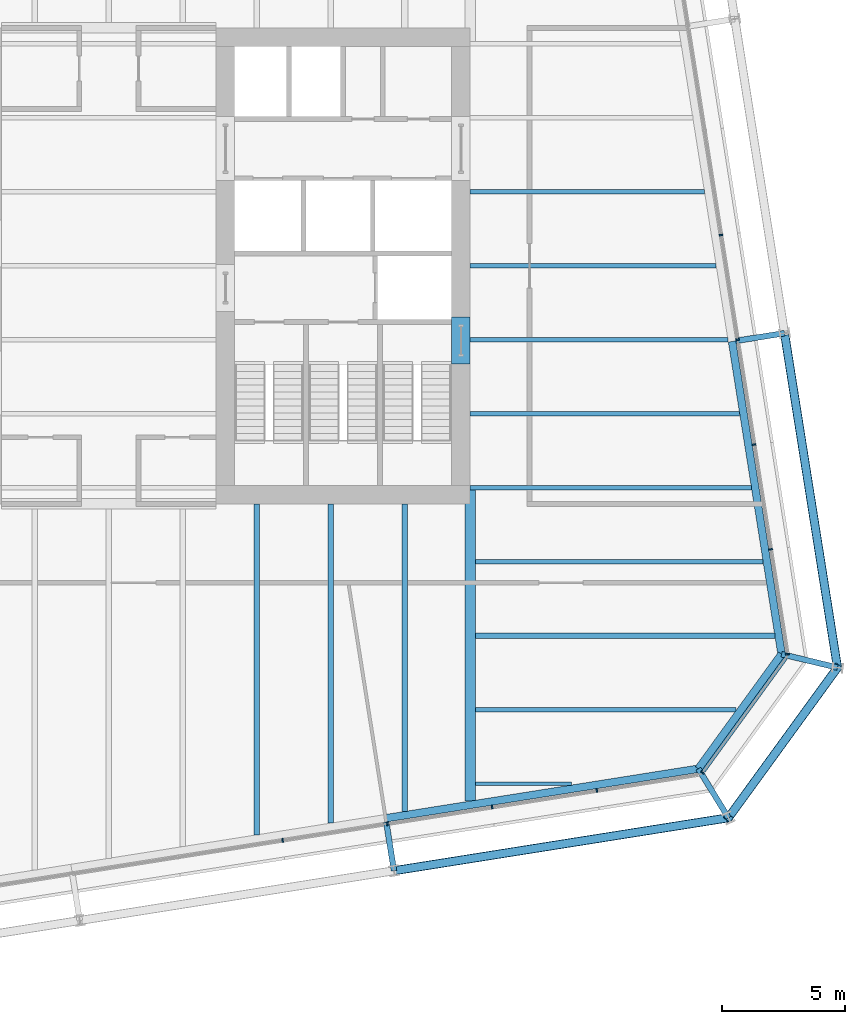
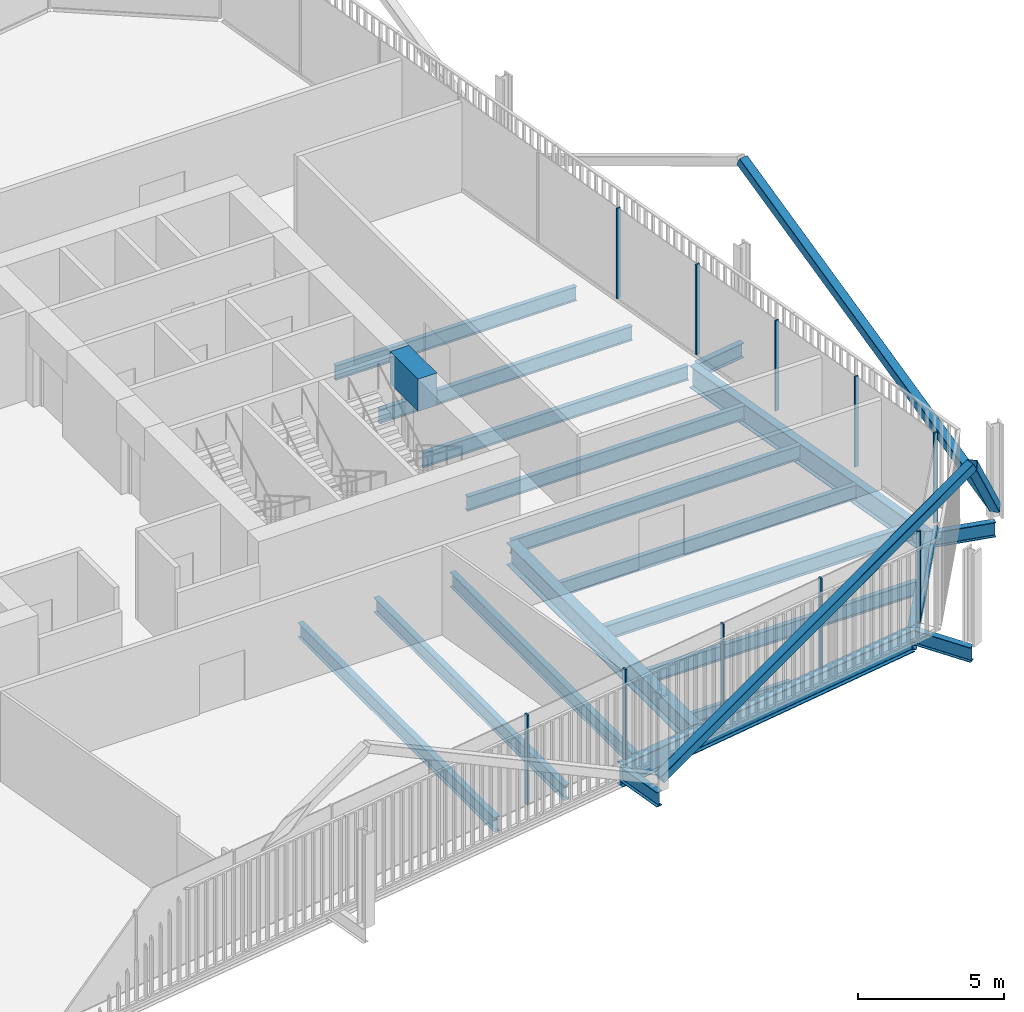
# One storey, part 8 of 22: 21 beams, 14 members, 3 elements without a shape of their own.
"""IFC4 building model written with IfcOpenShell, lengths in metres."""

import ifcopenshell
import ifcopenshell.guid

model = None  # the IFC model being written
_history = None  # IfcOwnerHistory: only IFC2X3 demands one
_inside = {}  # id of a spatial element -> (the spatial element, [elements in it])
_under = {}  # id of a project, library or spatial element -> (it, [spatial elements below it])
_declared = {}  # id of a project -> (the project, [libraries it declares])
_typed = {}  # id of a type object -> (the type object, [elements of that type])
_made_of = {}  # id of a material, layer set ... -> (it, [elements and type objects made of it])


def new_model(schema):
    """Start an empty IFC model of exactly this schema.

    Asked for "IFC4X3", IfcOpenShell would pick the latest addendum, in which some entities
    have other attributes; the version numbers below select the first issue.
    IFC2X3 requires an IfcOwnerHistory on every rooted entity: one is made here for all.
    """
    global model, _history
    if schema == "IFC4X3":
        model = ifcopenshell.file(schema_version=(4, 3, 0, 0))
    else:
        model = ifcopenshell.file(schema=schema)
    _inside.clear()
    _under.clear()
    _declared.clear()
    _typed.clear()
    _made_of.clear()
    _history = None
    if model.schema == "IFC2X3":
        org = make("IfcOrganization", Name="unknown")
        user = make(
            "IfcPersonAndOrganization",
            ThePerson=make("IfcPerson", FamilyName="unknown"),
            TheOrganization=org,
        )
        app = make(
            "IfcApplication",
            ApplicationDeveloper=org,
            Version="unknown",
            ApplicationFullName="unknown",
            ApplicationIdentifier="unknown",
        )
        _history = make(
            "IfcOwnerHistory",
            OwningUser=user,
            OwningApplication=app,
            ChangeAction="ADDED",
            CreationDate=0,
        )
    return model


def make(cls, **values):
    """One entity of the class cls with the attributes given. An attribute that is None is left unset."""
    return model.create_entity(
        cls, **{name: value for name, value in values.items() if value is not None}
    )


def rooted(cls, **values):
    """An entity with a GlobalId (a new one), such as an element, a storey or a relation."""
    return make(cls, GlobalId=ifcopenshell.guid.new(), OwnerHistory=_history, **values)


def si_unit(unit_type, name, prefix=None):
    """IfcSIUnit, for example si_unit("LENGTHUNIT", "METRE", prefix="MILLI")."""
    return make("IfcSIUnit", UnitType=unit_type, Prefix=prefix, Name=name)


def assignment(units):
    """IfcUnitAssignment: the units of a project."""
    return None if units is None else make("IfcUnitAssignment", Units=units)


def point(xyz):
    """IfcCartesianPoint."""
    return None if xyz is None else make("IfcCartesianPoint", Coordinates=xyz)


def direction(xyz):
    """IfcDirection."""
    return None if xyz is None else make("IfcDirection", DirectionRatios=xyz)


def frame(location, z_axis=None, x_axis=None):
    """IfcAxis2Placement3D, a coordinate frame: its origin and axes. An axis left out is left unset."""
    return make(
        "IfcAxis2Placement3D",
        Location=point(location),
        Axis=direction(z_axis),
        RefDirection=direction(x_axis),
    )


def frame_2d(location, x_axis=None):
    """IfcAxis2Placement2D, a coordinate frame in the plane: its origin and x axis."""
    return make(
        "IfcAxis2Placement2D", Location=point(location), RefDirection=direction(x_axis)
    )


def origin():
    """The frame at (0, 0, 0) with its axes left unset."""
    return frame((0.0, 0.0, 0.0))


def origin_2d():
    """The frame at (0, 0) in the plane with its x axis left unset."""
    return frame_2d((0.0, 0.0))


def place(relative_to, where):
    """IfcLocalPlacement: puts the frame where relative to a parent placement (None: the world)."""
    return make(
        "IfcLocalPlacement", PlacementRelTo=relative_to, RelativePlacement=where
    )


def context(
    kind, dimensions, precision=None, world=None, true_north=None, identifier=None
):
    """IfcGeometricRepresentationContext, for example the 3D "Model" context."""
    return make(
        "IfcGeometricRepresentationContext",
        ContextIdentifier=identifier,
        ContextType=kind,
        CoordinateSpaceDimension=dimensions,
        Precision=precision,
        WorldCoordinateSystem=world,
        TrueNorth=true_north,
    )


def subcontext(parent, identifier, kind, view, scale=None):
    """IfcGeometricRepresentationSubContext, for example "Body" below "Model"."""
    return make(
        "IfcGeometricRepresentationSubContext",
        ContextIdentifier=identifier,
        ContextType=kind,
        ParentContext=parent,
        TargetScale=scale,
        TargetView=view,
    )


def project(units=None, contexts=None):
    """IfcProject with its units and contexts."""
    return rooted(
        "IfcProject",
        Name="project",
        RepresentationContexts=contexts,
        UnitsInContext=assignment(units),
    )


def spatial(cls, under=None, at=None, **own):
    """A site, building, storey or space (cls), placed at a placement, below another one or the project."""
    s = rooted(cls, ObjectPlacement=at, **own)
    if under is not None:
        _under.setdefault(under.id(), (under, []))[1].append(s)
    return s


def profile(cls, at=None, kind="AREA", **sizes):
    """A parametric profile (cls). Its sizes go by their IFC names, for example OverallWidth=200.0."""
    return make(cls, ProfileType=kind, Position=at, **sizes)


def rectangle(**sizes):
    """IfcRectangleProfileDef."""
    return profile("IfcRectangleProfileDef", **sizes)


def hollow_rectangle(**sizes):
    """IfcRectangleHollowProfileDef."""
    return profile("IfcRectangleHollowProfileDef", **sizes)


def i_section(**sizes):
    """IfcIShapeProfileDef."""
    return profile("IfcIShapeProfileDef", **sizes)


def extrude(swept, where, along, depth):
    """IfcExtrudedAreaSolid: the profile swept, set in the frame where, extruded along a direction by depth."""
    return make(
        "IfcExtrudedAreaSolid",
        SweptArea=swept,
        Position=where,
        ExtrudedDirection=direction(along),
        Depth=depth,
    )


def shape(context_of_items, identifier, shape_type, items):
    """IfcShapeRepresentation: the items that make up one representation, for example the "Body"."""
    return make(
        "IfcShapeRepresentation",
        ContextOfItems=context_of_items,
        RepresentationIdentifier=identifier,
        RepresentationType=shape_type,
        Items=items,
    )


def material(Name=None, Category=None):
    """IfcMaterial."""
    return make("IfcMaterial", Name=Name, Category=Category)


def layer(
    of_material, thickness, ventilated=None, Name=None, Category=None, Priority=None
):
    """IfcMaterialLayer: one layer of a wall or slab, of a material (None: an air gap)."""
    return make(
        "IfcMaterialLayer",
        Material=of_material,
        LayerThickness=thickness,
        IsVentilated=ventilated,
        Name=Name,
        Category=Category,
        Priority=Priority,
    )


def layer_set(layers, Name=None):
    """IfcMaterialLayerSet."""
    return make("IfcMaterialLayerSet", MaterialLayers=layers, LayerSetName=Name)


def material_profile(
    of_material, cross_section, Name=None, Category=None, Priority=None
):
    """IfcMaterialProfile: a cross section and its material."""
    return make(
        "IfcMaterialProfile",
        Name=Name,
        Material=of_material,
        Profile=cross_section,
        Priority=Priority,
        Category=Category,
    )


def profile_set(profiles, Name=None, composite=None):
    """IfcMaterialProfileSet."""
    return make(
        "IfcMaterialProfileSet",
        Name=Name,
        MaterialProfiles=profiles,
        CompositeProfile=composite,
    )


def made_of(thing, what):
    """Note that an element or type object is made of a material, layer set ...; save() writes the relation."""
    if what is not None:
        _made_of.setdefault(what.id(), (what, []))[1].append(thing)
    return thing


def type_object(cls, material=None, **own):
    """A type object (cls), such as IfcWallType, which elements share."""
    return made_of(rooted(cls, **own), material)


def element(
    cls,
    number,
    at=None,
    inside=None,
    cuts=None,
    type_object=None,
    material=None,
    context=None,
    identifier="Body",
    shape_type=None,
    held_by="IfcProductDefinitionShape",
    body=None,
    shapes=None,
    **own,
):
    """One element of the class cls, such as IfcWall. Its Tag is "e" and its number.

    at: its placement. inside: the storey or other place that contains it. cuts: it is an
    opening in that element (IfcRelVoidsElement). A single representation is given by context,
    identifier, shape_type and body (its items); several are given by shapes. held_by: the class
    of the entity that holds the representations. save() writes the other relations.
    """
    e = rooted(cls, Tag="e%d" % number, ObjectPlacement=at, **own)
    if body is not None:
        shapes = [shape(context, identifier, shape_type, body)]
    if shapes is not None:
        e.Representation = make(held_by, Representations=shapes)
    if inside is not None:
        _inside.setdefault(inside.id(), (inside, []))[1].append(e)
    if cuts is not None:
        rooted(
            "IfcRelVoidsElement", RelatingBuildingElement=cuts, RelatedOpeningElement=e
        )
    if type_object is not None:
        _typed.setdefault(type_object.id(), (type_object, []))[1].append(e)
    return made_of(e, material)


def aggregate(whole, parts):
    """IfcRelAggregates: a whole, such as a stair, and the parts it consists of."""
    return rooted("IfcRelAggregates", RelatingObject=whole, RelatedObjects=parts)


def save(model, path):
    """Write the relations noted so far, then the file.

    IfcRelAggregates (storeys below a building ...), IfcRelContainedInSpatialStructure (elements
    in a storey), IfcRelDefinesByType, IfcRelAssociatesMaterial and IfcRelDeclares: one each for
    every whole, place, type object, material and project.
    """
    for whole, parts in _under.values():
        aggregate(whole, parts)
    for where, things in _inside.values():
        rooted(
            "IfcRelContainedInSpatialStructure",
            RelatedElements=things,
            RelatingStructure=where,
        )
    for kind, things in _typed.values():
        rooted("IfcRelDefinesByType", RelatedObjects=things, RelatingType=kind)
    for what, things in _made_of.values():
        rooted("IfcRelAssociatesMaterial", RelatedObjects=things, RelatingMaterial=what)
    for by, libraries in _declared.values():
        rooted("IfcRelDeclares", RelatingContext=by, RelatedDefinitions=libraries)
    model.write(path)


model = new_model("IFC4")

# Units and contexts
model_context = context("Model", 3, precision=1e-05, world=origin(), true_north=direction((0.0, 1.0)))
body_context = subcontext(model_context, "Body", "Model", "MODEL_VIEW")
ifc_project = project(units=[si_unit("LENGTHUNIT", "METRE"), si_unit("AREAUNIT", "SQUARE_METRE"), si_unit("VOLUMEUNIT", "CUBIC_METRE"), si_unit("PLANEANGLEUNIT", "RADIAN"), si_unit("MASSUNIT", "GRAM", prefix="KILO")], contexts=[model_context])

# Site, building, storey
site_placement = place(None, origin())
site = spatial("IfcSite", under=ifc_project, at=site_placement, CompositionType="ELEMENT")
building_placement = place(site_placement, origin())
building = spatial("IfcBuilding", under=site, at=building_placement, Name="Millrace Tower", CompositionType="ELEMENT")
storey_placement = place(building_placement, frame((0.0, 0.0, 137.300048828125)))
storey = spatial("IfcBuildingStorey", under=building, at=storey_placement, Name="L30", CompositionType="ELEMENT", Elevation=137.300048828125)

# Curtain wall, members
ifc_material_1 = material(Name="Aluminium and glass", Category="aluminium")
ifc_layer = layer(ifc_material_1, 0.14990234375)
ifc_layer_set = layer_set([ifc_layer], Name="Aluminium and glass")
curtain_wall_type = type_object("IfcCurtainWallType", Name="CW-1 office vision curtain wall", PredefinedType="NOTDEFINED", material=ifc_layer_set)
placement = place(storey_placement, origin())
curtain_wall_1 = element("IfcCurtainWall", 1, at=placement, inside=storey, type_object=curtain_wall_type, Name="Curtain wall C-F02 L30", PredefinedType="NOTDEFINED")
ifc_material_2 = material(Name="Aluminium", Category="aluminium")
ifc_material_profile_1 = material_profile(ifc_material_2, rectangle(XDim=0.06494140625, YDim=0.14990234375, at=origin_2d()))
ifc_profile_set_1 = profile_set([ifc_material_profile_1], Name="Aluminium")
member_type_1 = type_object("IfcMemberType", Name="CW-1 office vision curtain wall mullion", PredefinedType="MULLION", material=ifc_profile_set_1)
member_1_placement = place(storey_placement, frame((7.04345703125, -23.293212890625, 0.139892578125), z_axis=(0.0, 0.0, 1.0), x_axis=(0.98768833929, 0.15643447328, 0.0)))
member_1 = element("IfcMember", 2, at=member_1_placement, type_object=member_type_1, Name="CW1 mullion C-F02.6", PredefinedType="MULLION", context=body_context, shape_type="SweptSolid", body=[
    extrude(rectangle(XDim=0.06494140625, YDim=0.14990234375, at=origin_2d()), origin(), (0.0, 0.0, 1.0), 3.760009765625),
])
member_2_placement = place(storey_placement, frame((11.29052734375, -22.62060546875, 0.139892578125), z_axis=(0.0, 0.0, 1.0), x_axis=(0.98768833929, 0.15643447328, 0.0)))
member_2 = element("IfcMember", 3, at=member_2_placement, type_object=member_type_1, Name="CW1 mullion C-F02.7", PredefinedType="MULLION", context=body_context, shape_type="SweptSolid", body=[
    extrude(rectangle(XDim=0.06494140625, YDim=0.14990234375, at=origin_2d()), origin(), (0.0, 0.0, 1.0), 3.760009765625),
])
member_3_placement = place(storey_placement, frame((15.53759765625, -21.947998046875, 0.139892578125), z_axis=(0.0, 0.0, 1.0), x_axis=(0.98768833929, 0.15643447328, 0.0)))
member_3 = element("IfcMember", 4, at=member_3_placement, type_object=member_type_1, Name="CW1 mullion C-F02.8", PredefinedType="MULLION", context=body_context, shape_type="SweptSolid", body=[
    extrude(rectangle(XDim=0.06494140625, YDim=0.14990234375, at=origin_2d()), origin(), (0.0, 0.0, 1.0), 3.760009765625),
])
member_4_placement = place(storey_placement, frame((19.78466796875, -21.275390625, 0.139892578125), z_axis=(0.0, 0.0, 1.0), x_axis=(0.98768833929, 0.15643447328, 0.0)))
member_4 = element("IfcMember", 5, at=member_4_placement, type_object=member_type_1, Name="CW1 mullion C-F02.9", PredefinedType="MULLION", context=body_context, shape_type="SweptSolid", body=[
    extrude(rectangle(XDim=0.06494140625, YDim=0.14990234375, at=origin_2d()), origin(), (0.0, 0.0, 1.0), 3.760009765625),
])
aggregate(curtain_wall_1, [member_1, member_2, member_3, member_4])

# Curtain wall, member
curtain_wall_2 = element("IfcCurtainWall", 6, at=placement, inside=storey, type_object=curtain_wall_type, Name="Curtain wall C-F03 L30", PredefinedType="NOTDEFINED")
member_5_placement = place(storey_placement, frame((24.06787109375, -20.551513671875, 0.139892578125), z_axis=(0.0, 0.0, 1.0), x_axis=(0.587785269844, 0.809016981623, 0.0)))
member_5 = element("IfcMember", 7, at=member_5_placement, type_object=member_type_1, Name="CW1 mullion C-F03.1", PredefinedType="MULLION", context=body_context, shape_type="SweptSolid", body=[
    extrude(rectangle(XDim=0.06494140625, YDim=0.14990234375, at=origin_2d()), origin(), (0.0, 0.0, 1.0), 3.760009765625),
])

# Curtain wall, members
curtain_wall_3 = element("IfcCurtainWall", 8, at=placement, inside=storey, type_object=curtain_wall_type, Name="Curtain wall C-F04 L30", PredefinedType="NOTDEFINED")
member_6_placement = place(storey_placement, frame((27.506591796875, -15.74169921875, 0.139892578125), z_axis=(0.0, 0.0, 1.0), x_axis=(-0.15643447328, 0.98768833929, 0.0)))
member_6 = element("IfcMember", 9, at=member_6_placement, type_object=member_type_1, Name="CW1 mullion C-F04.1", PredefinedType="MULLION", context=body_context, shape_type="SweptSolid", body=[
    extrude(rectangle(XDim=0.06494140625, YDim=0.14990234375, at=origin_2d()), origin(), (0.0, 0.0, 1.0), 3.760009765625),
])
member_7_placement = place(storey_placement, frame((26.833984375, -11.49462890625, 0.139892578125), z_axis=(0.0, 0.0, 1.0), x_axis=(-0.15643447328, 0.98768833929, 0.0)))
member_7 = element("IfcMember", 10, at=member_7_placement, type_object=member_type_1, Name="CW1 mullion C-F04.2", PredefinedType="MULLION", context=body_context, shape_type="SweptSolid", body=[
    extrude(rectangle(XDim=0.06494140625, YDim=0.14990234375, at=origin_2d()), origin(), (0.0, 0.0, 1.0), 3.760009765625),
])
member_8_placement = place(storey_placement, frame((26.161376953125, -7.24755859375, 0.139892578125), z_axis=(0.0, 0.0, 1.0), x_axis=(-0.15643447328, 0.98768833929, 0.0)))
member_8 = element("IfcMember", 11, at=member_8_placement, type_object=member_type_1, Name="CW1 mullion C-F04.3", PredefinedType="MULLION", context=body_context, shape_type="SweptSolid", body=[
    extrude(rectangle(XDim=0.06494140625, YDim=0.14990234375, at=origin_2d()), origin(), (0.0, 0.0, 1.0), 3.760009765625),
])
member_9_placement = place(storey_placement, frame((25.48876953125, -3.00048828125, 0.139892578125), z_axis=(0.0, 0.0, 1.0), x_axis=(-0.15643447328, 0.98768833929, 0.0)))
member_9 = element("IfcMember", 12, at=member_9_placement, type_object=member_type_1, Name="CW1 mullion C-F04.4", PredefinedType="MULLION", context=body_context, shape_type="SweptSolid", body=[
    extrude(rectangle(XDim=0.06494140625, YDim=0.14990234375, at=origin_2d()), origin(), (0.0, 0.0, 1.0), 3.760009765625),
])
member_10_placement = place(storey_placement, frame((24.81591796875, 1.24658203125, 0.139892578125), z_axis=(0.0, 0.0, 1.0), x_axis=(-0.15643447328, 0.98768833929, 0.0)))
member_10 = element("IfcMember", 13, at=member_10_placement, type_object=member_type_1, Name="CW1 mullion C-F04.5", PredefinedType="MULLION", context=body_context, shape_type="SweptSolid", body=[
    extrude(rectangle(XDim=0.06494140625, YDim=0.14990234375, at=origin_2d()), origin(), (0.0, 0.0, 1.0), 3.760009765625),
])
aggregate(curtain_wall_3, [member_6, member_7, member_8, member_9, member_10])

# Member
ifc_material_3 = material(Name="Aluminium", Category="aluminium")
ifc_material_profile_2 = material_profile(ifc_material_3, rectangle(XDim=0.14990234375, YDim=0.139892578125, at=origin_2d()))
ifc_profile_set_2 = profile_set([ifc_material_profile_2], Name="Aluminium")
member_type_2 = type_object("IfcMemberType", Name="CW-1 office vision curtain wall transom", PredefinedType="USERDEFINED", material=ifc_profile_set_2)
member_11_placement = place(storey_placement, frame((24.107421875, -20.496826171875, 0.070068359375), z_axis=(0.587810581339, 0.808998591139, 0.0), x_axis=(-0.808998591139, 0.587810581339, 0.0)))
member_11 = element("IfcMember", 14, at=member_11_placement, type_object=member_type_2, Name="CW1 transom C-F03.1", ObjectType="TRANSOM", PredefinedType="USERDEFINED", context=body_context, shape_type="SweptSolid", body=[
    extrude(rectangle(XDim=0.14990234375, YDim=0.139892578125, at=origin_2d()), origin(), (0.0, 0.0, 1.0), 5.6689453125),
])

aggregate(curtain_wall_2, [member_5, member_11])

# Beam
ifc_material_4 = material(Name="Concrete C70", Category="concrete")
ifc_material_profile_3 = material_profile(ifc_material_4, rectangle(XDim=0.75, YDim=1.340087890625, at=origin_2d()))
ifc_profile_set_3 = profile_set([ifc_material_profile_3], Name="Concrete C70")
beam_type_1 = type_object("IfcBeamType", Name="Coupling beam 750 x 1340 Concrete C70, 1300 opening", PredefinedType="BEAM", material=ifc_profile_set_3)
beam_1_placement = place(storey_placement, frame((14.27490234375, -2.080078125, 3.070068359375), z_axis=(0.0, -1.0, 0.0), x_axis=(1.0, 0.0, 0.0)))
element("IfcBeam", 15, at=beam_1_placement, inside=storey, type_object=beam_type_1, Name="Coupling beam E L30", PredefinedType="BEAM", context=body_context, shape_type="SweptSolid", body=[
    extrude(rectangle(XDim=0.75, YDim=1.340087890625, at=origin_2d()), origin(), (0.0, 0.0, 1.0), 1.89990234375),
])

# Members
ifc_material_5 = material(Name="Steel ASTM A500 Grade C", Category="steel")
ifc_material_profile_4 = material_profile(ifc_material_5, hollow_rectangle(XDim=0.355712890625, YDim=0.355712890625, WallThickness=0.015869140625, InnerFilletRadius=0.008056640625, OuterFilletRadius=0.02392578125, at=origin_2d()))
ifc_profile_set_4 = profile_set([ifc_material_profile_4], Name="Steel ASTM A500 Grade C")
member_type_3 = type_object("IfcMemberType", Name="Exoskeleton brace HSS14x14x5/8", PredefinedType="BRACE", material=ifc_profile_set_4)
member_12_placement = place(storey_placement, frame((11.5595703125, -24.527099609375, 0.39990234375), z_axis=(0.879908188937, 0.139368965396, 0.454244285078), x_axis=(-0.156440158434, 0.987687438833, 0.0)))
element("IfcMember", 16, at=member_12_placement, inside=storey, type_object=member_type_3, Name="BRC-C-L30-04", PredefinedType="BRACE", context=body_context, shape_type="SweptSolid", body=[
    extrude(hollow_rectangle(XDim=0.355712890625, YDim=0.355712890625, WallThickness=0.015869140625, InnerFilletRadius=0.008056640625, OuterFilletRadius=0.02392578125, at=origin_2d()), origin(), (0.0, 0.0, 1.0), 15.41015625),
])
member_13_placement = place(storey_placement, frame((29.542724609375, -16.291015625, 0.39990234375), z_axis=(-0.430395153162, -0.592372334541, 0.681069034243), x_axis=(0.809009551985, -0.587795495726, 0.0)))
element("IfcMember", 17, at=member_13_placement, inside=storey, type_object=member_type_3, Name="BRC-C-L30-05", PredefinedType="BRACE", context=body_context, shape_type="SweptSolid", body=[
    extrude(hollow_rectangle(XDim=0.355712890625, YDim=0.355712890625, WallThickness=0.015869140625, InnerFilletRadius=0.008056640625, OuterFilletRadius=0.02392578125, at=origin_2d()), origin(), (0.0, 0.0, 1.0), 10.278076171875),
])
member_14_placement = place(storey_placement, frame((29.542724609375, -16.291015625, 0.39990234375), z_axis=(-0.139368965396, 0.879908188937, 0.454244285078), x_axis=(-0.987687438833, -0.156440158434, 0.0)))
element("IfcMember", 18, at=member_14_placement, inside=storey, type_object=member_type_3, Name="BRC-C-L30-06", PredefinedType="BRACE", context=body_context, shape_type="SweptSolid", body=[
    extrude(hollow_rectangle(XDim=0.355712890625, YDim=0.355712890625, WallThickness=0.015869140625, InnerFilletRadius=0.008056640625, OuterFilletRadius=0.02392578125, at=origin_2d()), origin(), (0.0, 0.0, 1.0), 15.41015625),
])

# Beams
ifc_material_6 = material(Name="Steel ASTM A992 Grade 50", Category="steel")
ifc_material_profile_5 = material_profile(ifc_material_6, i_section(OverallWidth=0.15234375, OverallDepth=0.449462890625, WebThickness=0.007568359375, FlangeThickness=0.0107421875, FilletRadius=0.01025390625, at=origin_2d()))
ifc_profile_set_5 = profile_set([ifc_material_profile_5], Name="Steel ASTM A992 Grade 50")
beam_type_2 = type_object("IfcBeamType", Name="Floor beam W18x35", PredefinedType="JOIST", material=ifc_profile_set_5)
beam_2_placement = place(storey_placement, frame((14.859619140625, -21.0, -0.384765625), z_axis=(1.0, 0.0, 0.0), x_axis=(0.0, 1.0, 0.0)))
element("IfcBeam", 19, at=beam_2_placement, inside=storey, type_object=beam_type_2, Name="BM-C-L30-S1-S003", PredefinedType="JOIST", context=body_context, shape_type="SweptSolid", body=[
    extrude(i_section(OverallWidth=0.15234375, OverallDepth=0.449462890625, WebThickness=0.007568359375, FlangeThickness=0.0107421875, FilletRadius=0.01025390625, at=origin_2d()), origin(), (0.0, 0.0, 1.0), 3.9033203125),
])
ifc_material_7 = material(Name="Steel ASTM A992 Grade 50", Category="steel")
ifc_material_profile_6 = material_profile(ifc_material_7, i_section(OverallWidth=0.177978515625, OverallDepth=0.599365234375, WebThickness=0.010009765625, FlangeThickness=0.012939453125, FilletRadius=0.012939453125, at=origin_2d()))
ifc_profile_set_6 = profile_set([ifc_material_profile_6], Name="Steel ASTM A992 Grade 50")
beam_type_3 = type_object("IfcBeamType", Name="Floor beam W24x55", PredefinedType="JOIST", material=ifc_profile_set_6)
beam_3_placement = place(storey_placement, frame((14.64990234375, 0.0, -0.459716796875), z_axis=(1.0, 0.0, 0.0), x_axis=(0.0, 1.0, 0.0)))
element("IfcBeam", 20, at=beam_3_placement, inside=storey, type_object=beam_type_3, Name="BM-C-L30-S1-S021", PredefinedType="JOIST", context=body_context, shape_type="SweptSolid", body=[
    extrude(i_section(OverallWidth=0.177978515625, OverallDepth=0.599365234375, WebThickness=0.010009765625, FlangeThickness=0.012939453125, FilletRadius=0.012939453125, at=origin_2d()), origin(), (0.0, 0.0, 1.0), 9.976318359375),
])
beam_4_placement = place(storey_placement, frame((14.64990234375, 3.0, -0.459716796875), z_axis=(1.0, 0.0, 0.0), x_axis=(0.0, 1.0, 0.0)))
element("IfcBeam", 21, at=beam_4_placement, inside=storey, type_object=beam_type_3, Name="BM-C-L30-S1-S024", PredefinedType="JOIST", context=body_context, shape_type="SweptSolid", body=[
    extrude(i_section(OverallWidth=0.177978515625, OverallDepth=0.599365234375, WebThickness=0.010009765625, FlangeThickness=0.012939453125, FilletRadius=0.012939453125, at=origin_2d()), origin(), (0.0, 0.0, 1.0), 9.501220703125),
])
ifc_material_8 = material(Name="Steel ASTM A992 Grade 50", Category="steel")
ifc_material_profile_7 = material_profile(ifc_material_8, i_section(OverallWidth=0.1787109375, OverallDepth=0.60205078125, WebThickness=0.010986328125, FlangeThickness=0.014892578125, FilletRadius=0.0126953125, at=origin_2d()))
ifc_profile_set_7 = profile_set([ifc_material_profile_7], Name="Steel ASTM A992 Grade 50")
beam_type_4 = type_object("IfcBeamType", Name="Floor beam W24x62", PredefinedType="JOIST", material=ifc_profile_set_7)
beam_5_placement = place(storey_placement, frame((14.859619140625, -12.0, -0.4609375), z_axis=(1.0, 0.0, 0.0), x_axis=(0.0, 1.0, 0.0)))
element("IfcBeam", 22, at=beam_5_placement, inside=storey, type_object=beam_type_4, Name="BM-C-L30-S1-S009", PredefinedType="JOIST", context=body_context, shape_type="SweptSolid", body=[
    extrude(i_section(OverallWidth=0.1787109375, OverallDepth=0.60205078125, WebThickness=0.010986328125, FlangeThickness=0.014892578125, FilletRadius=0.0126953125, at=origin_2d()), origin(), (0.0, 0.0, 1.0), 11.667236328125),
])
beam_6_placement = place(storey_placement, frame((14.64990234375, -9.0, -0.4609375), z_axis=(1.0, 0.0, 0.0), x_axis=(0.0, 1.0, 0.0)))
element("IfcBeam", 23, at=beam_6_placement, inside=storey, type_object=beam_type_4, Name="BM-C-L30-S1-S012", PredefinedType="JOIST", context=body_context, shape_type="SweptSolid", body=[
    extrude(i_section(OverallWidth=0.1787109375, OverallDepth=0.60205078125, WebThickness=0.010986328125, FlangeThickness=0.014892578125, FilletRadius=0.0126953125, at=origin_2d()), origin(), (0.0, 0.0, 1.0), 11.40185546875),
])
beam_7_placement = place(storey_placement, frame((14.64990234375, -6.0, -0.4609375), z_axis=(1.0, 0.0, 0.0), x_axis=(0.0, 1.0, 0.0)))
element("IfcBeam", 24, at=beam_7_placement, inside=storey, type_object=beam_type_4, Name="BM-C-L30-S1-S015", PredefinedType="JOIST", context=body_context, shape_type="SweptSolid", body=[
    extrude(i_section(OverallWidth=0.1787109375, OverallDepth=0.60205078125, WebThickness=0.010986328125, FlangeThickness=0.014892578125, FilletRadius=0.0126953125, at=origin_2d()), origin(), (0.0, 0.0, 1.0), 10.9267578125),
])
beam_8_placement = place(storey_placement, frame((14.64990234375, -3.0, -0.4609375), z_axis=(1.0, 0.0, 0.0), x_axis=(0.0, 1.0, 0.0)))
element("IfcBeam", 25, at=beam_8_placement, inside=storey, type_object=beam_type_4, Name="BM-C-L30-S1-S018", PredefinedType="JOIST", context=body_context, shape_type="SweptSolid", body=[
    extrude(i_section(OverallWidth=0.1787109375, OverallDepth=0.60205078125, WebThickness=0.010986328125, FlangeThickness=0.014892578125, FilletRadius=0.0126953125, at=origin_2d()), origin(), (0.0, 0.0, 1.0), 10.45166015625),
])
beam_9_placement = place(storey_placement, frame((14.859619140625, -18.0, -0.4609375), z_axis=(1.0, 0.0, 0.0), x_axis=(0.0, 1.0, 0.0)))
element("IfcBeam", 26, at=beam_9_placement, inside=storey, type_object=beam_type_4, Name="BM-C-L30-S1-S005", PredefinedType="JOIST", context=body_context, shape_type="SweptSolid", body=[
    extrude(i_section(OverallWidth=0.1787109375, OverallDepth=0.60205078125, WebThickness=0.010986328125, FlangeThickness=0.014892578125, FilletRadius=0.0126953125, at=origin_2d()), origin(), (0.0, 0.0, 1.0), 10.577392578125),
])
ifc_material_9 = material(Name="Steel ASTM A992 Grade 50", Category="steel")
ifc_material_profile_8 = material_profile(ifc_material_9, i_section(OverallWidth=0.228271484375, OverallDepth=0.607177734375, WebThickness=0.01123046875, FlangeThickness=0.017333984375, FilletRadius=0.0126953125, at=origin_2d()))
ifc_profile_set_8 = profile_set([ifc_material_profile_8], Name="Steel ASTM A992 Grade 50")
beam_type_5 = type_object("IfcBeamType", Name="Floor beam W24x76", PredefinedType="JOIST", material=ifc_profile_set_8)
beam_10_placement = place(storey_placement, frame((14.859619140625, -15.0, -0.463623046875), z_axis=(1.0, 0.0, 0.0), x_axis=(0.0, 1.0, 0.0)))
element("IfcBeam", 27, at=beam_10_placement, inside=storey, type_object=beam_type_5, Name="BM-C-L30-S1-S007", PredefinedType="JOIST", context=body_context, shape_type="SweptSolid", body=[
    extrude(i_section(OverallWidth=0.228271484375, OverallDepth=0.607177734375, WebThickness=0.01123046875, FlangeThickness=0.017333984375, FilletRadius=0.0126953125, at=origin_2d()), origin(), (0.0, 0.0, 1.0), 12.142578125),
])
beam_11_placement = place(storey_placement, frame((6.0, -23.071533203125, -0.463623046875), z_axis=(0.0, 1.0, 0.0), x_axis=(-1.0, 0.0, 0.0)))
element("IfcBeam", 28, at=beam_11_placement, inside=storey, type_object=beam_type_5, Name="BM-C-L30-S1-S052", PredefinedType="JOIST", context=body_context, shape_type="SweptSolid", body=[
    extrude(i_section(OverallWidth=0.228271484375, OverallDepth=0.607177734375, WebThickness=0.01123046875, FlangeThickness=0.017333984375, FilletRadius=0.0126953125, at=origin_2d()), origin(), (0.0, 0.0, 1.0), 13.421630859375),
])
beam_12_placement = place(storey_placement, frame((9.0, -22.596435546875, -0.463623046875), z_axis=(0.0, 1.0, 0.0), x_axis=(-1.0, 0.0, 0.0)))
element("IfcBeam", 29, at=beam_12_placement, inside=storey, type_object=beam_type_5, Name="BM-C-L30-S1-S054", PredefinedType="JOIST", context=body_context, shape_type="SweptSolid", body=[
    extrude(i_section(OverallWidth=0.228271484375, OverallDepth=0.607177734375, WebThickness=0.01123046875, FlangeThickness=0.017333984375, FilletRadius=0.0126953125, at=origin_2d()), origin(), (0.0, 0.0, 1.0), 12.946533203125),
])
beam_13_placement = place(storey_placement, frame((12.0, -22.12109375, -0.463623046875), z_axis=(0.0, 1.0, 0.0), x_axis=(-1.0, 0.0, 0.0)))
element("IfcBeam", 30, at=beam_13_placement, inside=storey, type_object=beam_type_5, Name="BM-C-L30-S1-S056", PredefinedType="JOIST", context=body_context, shape_type="SweptSolid", body=[
    extrude(i_section(OverallWidth=0.228271484375, OverallDepth=0.607177734375, WebThickness=0.01123046875, FlangeThickness=0.017333984375, FilletRadius=0.0126953125, at=origin_2d()), origin(), (0.0, 0.0, 1.0), 12.47119140625),
])
ifc_material_10 = material(Name="Steel ASTM A992 Grade 50", Category="steel")
ifc_material_profile_9 = material_profile(ifc_material_10, i_section(OverallWidth=0.419189453125, OverallDepth=0.927001953125, WebThickness=0.019287109375, FlangeThickness=0.031982421875, FilletRadius=0.024169921875, at=origin_2d()))
ifc_profile_set_9 = profile_set([ifc_material_profile_9], Name="Steel ASTM A992 Grade 50")
beam_type_6 = type_object("IfcBeamType", Name="Girder medium span W36x231", PredefinedType="BEAM", material=ifc_profile_set_9)
beam_14_placement = place(storey_placement, frame((14.64990234375, -21.693603515625, -0.62353515625), z_axis=(0.0, 1.0, 0.0), x_axis=(-1.0, 0.0, 0.0)))
element("IfcBeam", 31, at=beam_14_placement, inside=storey, type_object=beam_type_6, Name="BM-C-L30-S1-G060", PredefinedType="BEAM", context=body_context, shape_type="SweptSolid", body=[
    extrude(i_section(OverallWidth=0.419189453125, OverallDepth=0.927001953125, WebThickness=0.019287109375, FlangeThickness=0.031982421875, FilletRadius=0.024169921875, at=origin_2d()), origin(), (0.0, 0.0, 1.0), 12.603515625),
])
ifc_material_11 = material(Name="Steel ASTM A992 Grade 50", Category="steel")
ifc_material_profile_10 = material_profile(ifc_material_11, i_section(OverallWidth=0.23046875, OverallDepth=0.6171875, WebThickness=0.01318359375, FlangeThickness=0.022216796875, FilletRadius=0.012939453125, at=origin_2d()))
ifc_profile_set_10 = profile_set([ifc_material_profile_10], Name="Steel ASTM A992 Grade 50")
beam_type_7 = type_object("IfcBeamType", Name="Link beam W24x94", PredefinedType="BEAM", material=ifc_profile_set_10)
beam_15_placement = place(storey_placement, frame((25.419677734375, -3.04443359375, -0.46875), z_axis=(0.987678691416, 0.156495375404, 0.0), x_axis=(-0.156495375404, 0.987678691416, 0.0)))
element("IfcBeam", 32, at=beam_15_placement, inside=storey, type_object=beam_type_7, Name="LNK-C-L30-S1-11", PredefinedType="BEAM", context=body_context, shape_type="SweptSolid", body=[
    extrude(i_section(OverallWidth=0.23046875, OverallDepth=0.6171875, WebThickness=0.01318359375, FlangeThickness=0.022216796875, FilletRadius=0.012939453125, at=origin_2d()), origin(), (0.0, 0.0, 1.0), 2.0),
])
beam_16_placement = place(storey_placement, frame((27.27587890625, -15.746826171875, -0.46875), z_axis=(0.972373041068, -0.233432364948, 0.0), x_axis=(0.233432364948, 0.972373041068, 0.0)))
element("IfcBeam", 33, at=beam_16_placement, inside=storey, type_object=beam_type_7, Name="LNK-C-L30-S1-12", PredefinedType="BEAM", context=body_context, shape_type="SweptSolid", body=[
    extrude(i_section(OverallWidth=0.23046875, OverallDepth=0.6171875, WebThickness=0.01318359375, FlangeThickness=0.022216796875, FilletRadius=0.012939453125, at=origin_2d()), origin(), (0.0, 0.0, 1.0), 2.331298828125),
])
beam_17_placement = place(storey_placement, frame((23.901123046875, -20.391845703125, -0.46875), z_axis=(0.522512938711, -0.852631355792, 0.0), x_axis=(0.852631355792, 0.522512938711, 0.0)))
element("IfcBeam", 34, at=beam_17_placement, inside=storey, type_object=beam_type_7, Name="LNK-C-L30-S1-13", PredefinedType="BEAM", context=body_context, shape_type="SweptSolid", body=[
    extrude(i_section(OverallWidth=0.23046875, OverallDepth=0.6171875, WebThickness=0.01318359375, FlangeThickness=0.022216796875, FilletRadius=0.012939453125, at=origin_2d()), origin(), (0.0, 0.0, 1.0), 2.3310546875),
])
beam_18_placement = place(storey_placement, frame((11.246826171875, -22.5517578125, -0.46875), z_axis=(0.15637629034, -0.987697552806, 0.0), x_axis=(0.987697552806, 0.15637629034, 0.0)))
element("IfcBeam", 35, at=beam_18_placement, inside=storey, type_object=beam_type_7, Name="LNK-C-L30-S1-14", PredefinedType="BEAM", context=body_context, shape_type="SweptSolid", body=[
    extrude(i_section(OverallWidth=0.23046875, OverallDepth=0.6171875, WebThickness=0.01318359375, FlangeThickness=0.022216796875, FilletRadius=0.012939453125, at=origin_2d()), origin(), (0.0, 0.0, 1.0), 2.0),
])
ifc_material_12 = material(Name="Steel ASTM A992 Grade 50", Category="steel")
ifc_material_profile_11 = material_profile(ifc_material_12, i_section(OverallWidth=0.307373046875, OverallDepth=0.927001953125, WebThickness=0.01953125, FlangeThickness=0.031982421875, FilletRadius=0.01904296875, at=origin_2d()))
ifc_profile_set_11 = profile_set([ifc_material_profile_11], Name="Steel ASTM A992 Grade 50")
beam_type_8 = type_object("IfcBeamType", Name="Ring beam medium span W36x194", PredefinedType="SPANDREL", material=ifc_profile_set_11)
for number, where, z_axis, x_axis, name in (
    (36, (25.267822265625, -3.068359375, -0.62353515625), (0.15643330783, -0.987688523879, 0.0), (0.987688523879, 0.15643330783, 0.0), "RNG-C-L30-S1-11"),
    (37, (23.901123046875, -20.391845703125, -0.62353515625), (-0.987688523879, -0.15643330783, 0.0), (0.15643330783, -0.987688523879, 0.0), "RNG-C-L30-S1-13"),
):
    element("IfcBeam", number, at=place(storey_placement, frame(where, z_axis=z_axis, x_axis=x_axis)), inside=storey, type_object=beam_type_8, Name=name, PredefinedType="SPANDREL", context=body_context, shape_type="SweptSolid", body=[
        extrude(i_section(OverallWidth=0.307373046875, OverallDepth=0.927001953125, WebThickness=0.01953125, FlangeThickness=0.031982421875, FilletRadius=0.01904296875, at=origin_2d()), origin(), (0.0, 0.0, 1.0), 12.83642578125),
    ])
ifc_material_13 = material(Name="Steel ASTM A992 Grade 50", Category="steel")
ifc_material_profile_12 = material_profile(ifc_material_13, i_section(OverallWidth=0.307373046875, OverallDepth=0.927001953125, WebThickness=0.01953125, FlangeThickness=0.031982421875, FilletRadius=0.01904296875, at=origin_2d()))
ifc_profile_set_12 = profile_set([ifc_material_profile_12], Name="Steel ASTM A992 Grade 50")
beam_type_9 = type_object("IfcBeamType", Name="Ring beam short span W36x194", PredefinedType="SPANDREL", material=ifc_profile_set_12)
beam_19_placement = place(storey_placement, frame((27.27587890625, -15.746826171875, -0.62353515625), z_axis=(-0.58777973792, -0.809021000772, 0.0), x_axis=(0.809021000772, -0.58777973792, 0.0)))
element("IfcBeam", 38, at=beam_19_placement, inside=storey, type_object=beam_type_9, Name="RNG-C-L30-S1-12", PredefinedType="SPANDREL", context=body_context, shape_type="SweptSolid", body=[
    extrude(i_section(OverallWidth=0.307373046875, OverallDepth=0.927001953125, WebThickness=0.01953125, FlangeThickness=0.031982421875, FilletRadius=0.01904296875, at=origin_2d()), origin(), (0.0, 0.0, 1.0), 5.741455078125),
])

save(model, "model.ifc")
